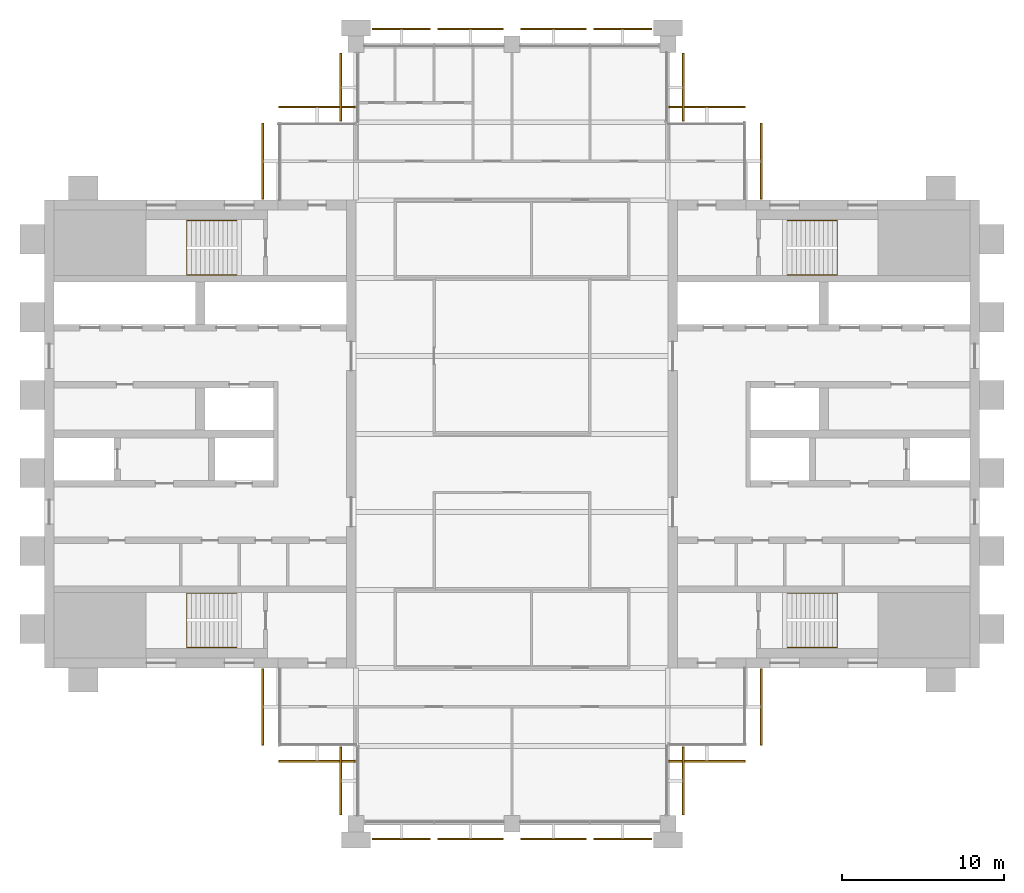
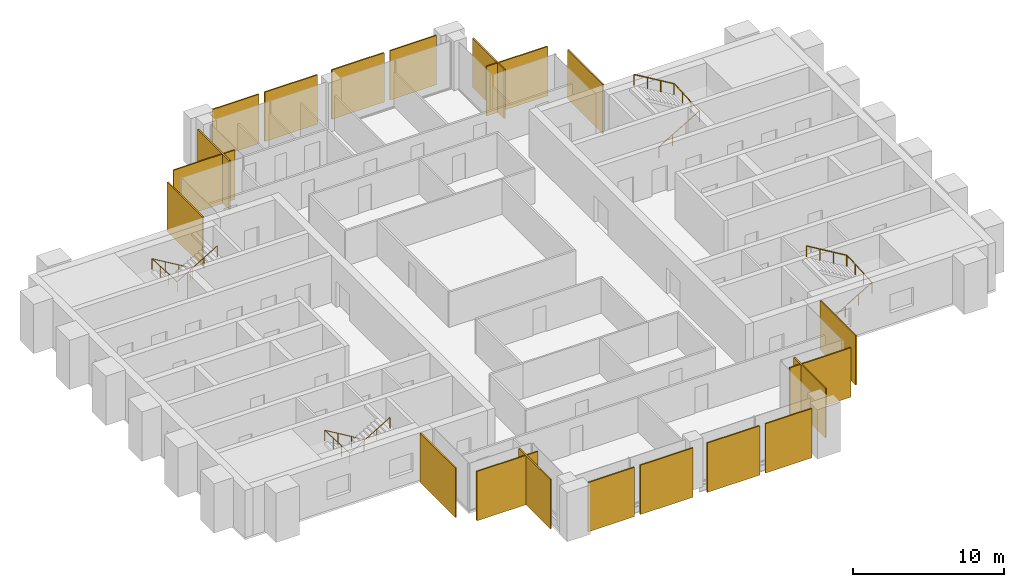
# One storey, part 13 of 13: 20 coverings, 4 railings.
"""IFC4 building model written with IfcOpenShell, lengths in metres."""

from ifc_helpers import new_model, si_unit, direction, frame, origin, origin_2d, place, context, subcontext, project, spatial, polyline, circle, outline, extrude, material, layer, layer_set, type_object, element, save


model = new_model("IFC4")

# Units and contexts
model_context = context("Model", 3, precision=1e-05, world=origin(), true_north=direction((0.0, 1.0)))
body_context = subcontext(model_context, "Body", "Model", "MODEL_VIEW")
ifc_project = project(units=[si_unit("LENGTHUNIT", "METRE"), si_unit("AREAUNIT", "SQUARE_METRE"), si_unit("VOLUMEUNIT", "CUBIC_METRE"), si_unit("PLANEANGLEUNIT", "RADIAN"), si_unit("MASSUNIT", "GRAM", prefix="KILO")], contexts=[model_context])

# Site, building, storey
site_placement = place(None, origin())
site = spatial("IfcSite", under=ifc_project, at=site_placement, CompositionType="ELEMENT")
building_placement = place(site_placement, origin())
building = spatial("IfcBuilding", under=site, at=building_placement, Name="Baori Bourse Tower", CompositionType="ELEMENT")
storey_placement = place(building_placement, frame((0.0, 0.0, 346.300048828125)))
storey = spatial("IfcBuildingStorey", under=building, at=storey_placement, Name="L77", CompositionType="ELEMENT", Elevation=346.300048828125)

# Railings
ifc_material_1 = material(Name="Powder-coated steel balustrade", Category="steel")
railing_type = type_object("IfcRailingType", Name="Core stair handrail", PredefinedType="HANDRAIL", material=ifc_material_1)
railing_1_placement = place(storey_placement, frame((11.85009765625, 14.199951171875, 0.16650390625)))
element("IfcRailing", 1, at=railing_1_placement, inside=storey, type_object=railing_type, Name="L77 ST1 stair handrail 1", PredefinedType="HANDRAIL", context=body_context, shape_type="SweptSolid", body=[
    extrude(circle(Radius=0.02392578125, at=origin_2d()), frame((0.0, 0.0, 0.8759765625), z_axis=(-0.85927862911, 0.0, 0.511507807912), x_axis=(0.0, -1.0, 0.0)), (0.0, 0.0, 1.0), 3.58447265625),
    extrude(circle(Radius=0.02392578125, at=origin_2d()), frame((-3.080078125, 0.0, 2.70947265625), z_axis=(0.0, -0.998766999029, 0.049643545903), x_axis=(1.0, 0.0, 0.0)), (0.0, 0.0, 1.0), 3.35400390625),
    extrude(circle(Radius=0.02392578125, at=origin_2d()), frame((-3.080078125, -3.349853515625, 2.8759765625), z_axis=(0.85927862911, 0.0, 0.511507807912), x_axis=(0.0, 1.0, 0.0)), (0.0, 0.0, 1.0), 3.58447265625),
    extrude(circle(Radius=0.02099609375, at=origin_2d()), origin(), (0.0, 0.0, 1.0), 0.851806640625),
    extrude(circle(Radius=0.02099609375, at=origin_2d()), frame((-1.026611328125, 0.0, 0.611083984375)), (0.0, 0.0, 1.0), 0.851806640625),
    extrude(circle(Radius=0.02099609375, at=origin_2d()), frame((-2.053466796875, 0.0, 1.222412109375)), (0.0, 0.0, 1.0), 0.851806640625),
    extrude(circle(Radius=0.02099609375, at=origin_2d()), frame((-3.080078125, 0.0, 1.83349609375)), (0.0, 0.0, 1.0), 0.851806640625),
    extrude(circle(Radius=0.02099609375, at=origin_2d()), frame((-3.080078125, -1.11669921875, 1.888916015625)), (0.0, 0.0, 1.0), 0.851806640625),
    extrude(circle(Radius=0.02099609375, at=origin_2d()), frame((-3.080078125, -2.233154296875, 1.944580078125)), (0.0, 0.0, 1.0), 0.851806640625),
    extrude(circle(Radius=0.02099609375, at=origin_2d()), frame((-3.080078125, -3.349853515625, 2.0)), (0.0, 0.0, 1.0), 0.851806640625),
    extrude(circle(Radius=0.02099609375, at=origin_2d()), frame((-2.053466796875, -3.349853515625, 2.611083984375)), (0.0, 0.0, 1.0), 0.851806640625),
    extrude(circle(Radius=0.02099609375, at=origin_2d()), frame((-1.026611328125, -3.349853515625, 3.222412109375)), (0.0, 0.0, 1.0), 0.851806640625),
    extrude(circle(Radius=0.02099609375, at=origin_2d()), frame((0.0, -3.349853515625, 3.83349609375)), (0.0, 0.0, 1.0), 0.851806640625),
])
railing_2_placement = place(storey_placement, frame((11.85009765625, 37.14990234375, 0.16650390625)))
element("IfcRailing", 2, at=railing_2_placement, inside=storey, type_object=railing_type, Name="L77 ST2 stair handrail 1", PredefinedType="HANDRAIL", context=body_context, shape_type="SweptSolid", body=[
    extrude(circle(Radius=0.02392578125, at=origin_2d()), frame((0.0, 0.0, 0.8759765625), z_axis=(-0.85927862911, 0.0, 0.511507807912), x_axis=(0.0, -1.0, 0.0)), (0.0, 0.0, 1.0), 3.58447265625),
    extrude(circle(Radius=0.02392578125, at=origin_2d()), frame((-3.080078125, 0.0, 2.70947265625), z_axis=(0.0, -0.998766999029, 0.049643545903), x_axis=(1.0, 0.0, 0.0)), (0.0, 0.0, 1.0), 3.35400390625),
    extrude(circle(Radius=0.02392578125, at=origin_2d()), frame((-3.080078125, -3.349853515625, 2.8759765625), z_axis=(0.85927862911, 0.0, 0.511507807912), x_axis=(0.0, 1.0, 0.0)), (0.0, 0.0, 1.0), 3.58447265625),
    extrude(circle(Radius=0.02099609375, at=origin_2d()), origin(), (0.0, 0.0, 1.0), 0.851806640625),
    extrude(circle(Radius=0.02099609375, at=origin_2d()), frame((-1.026611328125, 0.0, 0.611083984375)), (0.0, 0.0, 1.0), 0.851806640625),
    extrude(circle(Radius=0.02099609375, at=origin_2d()), frame((-2.053466796875, 0.0, 1.222412109375)), (0.0, 0.0, 1.0), 0.851806640625),
    extrude(circle(Radius=0.02099609375, at=origin_2d()), frame((-3.080078125, 0.0, 1.83349609375)), (0.0, 0.0, 1.0), 0.851806640625),
    extrude(circle(Radius=0.02099609375, at=origin_2d()), frame((-3.080078125, -1.11669921875, 1.888916015625)), (0.0, 0.0, 1.0), 0.851806640625),
    extrude(circle(Radius=0.02099609375, at=origin_2d()), frame((-3.080078125, -2.233154296875, 1.944580078125)), (0.0, 0.0, 1.0), 0.851806640625),
    extrude(circle(Radius=0.02099609375, at=origin_2d()), frame((-3.080078125, -3.349853515625, 2.0)), (0.0, 0.0, 1.0), 0.851806640625),
    extrude(circle(Radius=0.02099609375, at=origin_2d()), frame((-2.053466796875, -3.349853515625, 2.611083984375)), (0.0, 0.0, 1.0), 0.851806640625),
    extrude(circle(Radius=0.02099609375, at=origin_2d()), frame((-1.026611328125, -3.349853515625, 3.222412109375)), (0.0, 0.0, 1.0), 0.851806640625),
    extrude(circle(Radius=0.02099609375, at=origin_2d()), frame((0.0, -3.349853515625, 3.83349609375)), (0.0, 0.0, 1.0), 0.851806640625),
])
railing_3_placement = place(storey_placement, frame((45.75, 10.85009765625, 0.16650390625)))
element("IfcRailing", 3, at=railing_3_placement, inside=storey, type_object=railing_type, Name="L77 ST3 stair handrail 1", PredefinedType="HANDRAIL", context=body_context, shape_type="SweptSolid", body=[
    extrude(circle(Radius=0.02392578125, at=origin_2d()), frame((0.0, 0.0, 0.8759765625), z_axis=(0.85927862911, 0.0, 0.511507807912), x_axis=(0.0, 1.0, 0.0)), (0.0, 0.0, 1.0), 3.58447265625),
    extrude(circle(Radius=0.02392578125, at=origin_2d()), frame((3.080078125, 0.0, 2.70947265625), z_axis=(0.0, 0.998766999029, 0.049643545903), x_axis=(-1.0, 0.0, 0.0)), (0.0, 0.0, 1.0), 3.35400390625),
    extrude(circle(Radius=0.02392578125, at=origin_2d()), frame((3.080078125, 3.349853515625, 2.8759765625), z_axis=(-0.85927862911, 0.0, 0.511507807912), x_axis=(0.0, -1.0, 0.0)), (0.0, 0.0, 1.0), 3.58447265625),
    extrude(circle(Radius=0.02099609375, at=origin_2d()), origin(), (0.0, 0.0, 1.0), 0.851806640625),
    extrude(circle(Radius=0.02099609375, at=origin_2d()), frame((1.026611328125, 0.0, 0.611083984375)), (0.0, 0.0, 1.0), 0.851806640625),
    extrude(circle(Radius=0.02099609375, at=origin_2d()), frame((2.053466796875, 0.0, 1.222412109375)), (0.0, 0.0, 1.0), 0.851806640625),
    extrude(circle(Radius=0.02099609375, at=origin_2d()), frame((3.080078125, 0.0, 1.83349609375)), (0.0, 0.0, 1.0), 0.851806640625),
    extrude(circle(Radius=0.02099609375, at=origin_2d()), frame((3.080078125, 1.11669921875, 1.888916015625)), (0.0, 0.0, 1.0), 0.851806640625),
    extrude(circle(Radius=0.02099609375, at=origin_2d()), frame((3.080078125, 2.233154296875, 1.944580078125)), (0.0, 0.0, 1.0), 0.851806640625),
    extrude(circle(Radius=0.02099609375, at=origin_2d()), frame((3.080078125, 3.349853515625, 2.0)), (0.0, 0.0, 1.0), 0.851806640625),
    extrude(circle(Radius=0.02099609375, at=origin_2d()), frame((2.053466796875, 3.349853515625, 2.611083984375)), (0.0, 0.0, 1.0), 0.851806640625),
    extrude(circle(Radius=0.02099609375, at=origin_2d()), frame((1.026611328125, 3.349853515625, 3.222412109375)), (0.0, 0.0, 1.0), 0.851806640625),
    extrude(circle(Radius=0.02099609375, at=origin_2d()), frame((0.0, 3.349853515625, 3.83349609375)), (0.0, 0.0, 1.0), 0.851806640625),
])
railing_4_placement = place(storey_placement, frame((45.75, 33.800048828125, 0.16650390625)))
element("IfcRailing", 4, at=railing_4_placement, inside=storey, type_object=railing_type, Name="L77 ST4 stair handrail 1", PredefinedType="HANDRAIL", context=body_context, shape_type="SweptSolid", body=[
    extrude(circle(Radius=0.02392578125, at=origin_2d()), frame((0.0, 0.0, 0.8759765625), z_axis=(0.85927862911, 0.0, 0.511507807912), x_axis=(0.0, 1.0, 0.0)), (0.0, 0.0, 1.0), 3.58447265625),
    extrude(circle(Radius=0.02392578125, at=origin_2d()), frame((3.080078125, 0.0, 2.70947265625), z_axis=(0.0, 0.998766999029, 0.049643545903), x_axis=(-1.0, 0.0, 0.0)), (0.0, 0.0, 1.0), 3.35400390625),
    extrude(circle(Radius=0.02392578125, at=origin_2d()), frame((3.080078125, 3.349853515625, 2.8759765625), z_axis=(-0.85927862911, 0.0, 0.511507807912), x_axis=(0.0, -1.0, 0.0)), (0.0, 0.0, 1.0), 3.58447265625),
    extrude(circle(Radius=0.02099609375, at=origin_2d()), origin(), (0.0, 0.0, 1.0), 0.851806640625),
    extrude(circle(Radius=0.02099609375, at=origin_2d()), frame((1.026611328125, 0.0, 0.611083984375)), (0.0, 0.0, 1.0), 0.851806640625),
    extrude(circle(Radius=0.02099609375, at=origin_2d()), frame((2.053466796875, 0.0, 1.222412109375)), (0.0, 0.0, 1.0), 0.851806640625),
    extrude(circle(Radius=0.02099609375, at=origin_2d()), frame((3.080078125, 0.0, 1.83349609375)), (0.0, 0.0, 1.0), 0.851806640625),
    extrude(circle(Radius=0.02099609375, at=origin_2d()), frame((3.080078125, 1.11669921875, 1.888916015625)), (0.0, 0.0, 1.0), 0.851806640625),
    extrude(circle(Radius=0.02099609375, at=origin_2d()), frame((3.080078125, 2.233154296875, 1.944580078125)), (0.0, 0.0, 1.0), 0.851806640625),
    extrude(circle(Radius=0.02099609375, at=origin_2d()), frame((3.080078125, 3.349853515625, 2.0)), (0.0, 0.0, 1.0), 0.851806640625),
    extrude(circle(Radius=0.02099609375, at=origin_2d()), frame((2.053466796875, 3.349853515625, 2.611083984375)), (0.0, 0.0, 1.0), 0.851806640625),
    extrude(circle(Radius=0.02099609375, at=origin_2d()), frame((1.026611328125, 3.349853515625, 3.222412109375)), (0.0, 0.0, 1.0), 0.851806640625),
    extrude(circle(Radius=0.02099609375, at=origin_2d()), frame((0.0, 3.349853515625, 3.83349609375)), (0.0, 0.0, 1.0), 0.851806640625),
])

# Coverings
ifc_material_2 = material(Name="Pale anodised aluminium", Category="aluminium")
ifc_layer = layer(ifc_material_2, 0.10009765625)
ifc_layer_set = layer_set([ifc_layer], Name="OS3 Outer skin screen panel")
covering_type = type_object("IfcCoveringType", Name="OS3 Outer skin screen panel", PredefinedType="CLADDING", material=ifc_layer_set)
covering_1_placement = place(storey_placement, frame((0.0, 0.0, -0.16015625)))
element("IfcCovering", 5, at=covering_1_placement, inside=storey, type_object=covering_type, Name="Outer skin screen L77 1", PredefinedType="CLADDING", context=body_context, shape_type="SweptSolid", body=[
    extrude(outline(polyline([(44.10009765625, 43.14990234375), (44.10009765625, 38.449951171875), (44.199951171875, 38.449951171875), (44.199951171875, 43.14990234375), (44.10009765625, 43.14990234375)])), origin(), (0.0, 0.0, 1.0), 4.0),
])
covering_2_placement = place(storey_placement, frame((0.0, 0.0, -0.16015625)))
element("IfcCovering", 6, at=covering_2_placement, inside=storey, type_object=covering_type, Name="Outer skin screen L77 2", PredefinedType="CLADDING", context=body_context, shape_type="SweptSolid", body=[
    extrude(outline(polyline([(38.449951171875, 44.10009765625), (43.14990234375, 44.10009765625), (43.14990234375, 44.199951171875), (38.449951171875, 44.199951171875), (38.449951171875, 44.10009765625)])), origin(), (0.0, 0.0, 1.0), 4.0),
])
covering_3_placement = place(storey_placement, frame((0.0, 0.0, -0.16015625)))
element("IfcCovering", 7, at=covering_3_placement, inside=storey, type_object=covering_type, Name="Outer skin screen L77 3", PredefinedType="CLADDING", context=body_context, shape_type="SweptSolid", body=[
    extrude(outline(polyline([(39.300048828125, 47.449951171875), (39.300048828125, 43.25), (39.39990234375, 43.25), (39.39990234375, 47.449951171875), (39.300048828125, 47.449951171875)])), origin(), (0.0, 0.0, 1.0), 4.0),
])
covering_4_placement = place(storey_placement, frame((0.0, 0.0, -0.16015625)))
element("IfcCovering", 8, at=covering_4_placement, inside=storey, type_object=covering_type, Name="Outer skin screen L77 4", PredefinedType="CLADDING", context=body_context, shape_type="SweptSolid", body=[
    extrude(outline(polyline([(33.824951171875, 48.89990234375), (37.39990234375, 48.89990234375), (37.39990234375, 49.0), (33.824951171875, 49.0), (33.824951171875, 48.89990234375)])), origin(), (0.0, 0.0, 1.0), 4.0),
])
covering_5_placement = place(storey_placement, frame((0.0, 0.0, -0.16015625)))
element("IfcCovering", 9, at=covering_5_placement, inside=storey, type_object=covering_type, Name="Outer skin screen L77 5", PredefinedType="CLADDING", context=body_context, shape_type="SweptSolid", body=[
    extrude(outline(polyline([(29.35009765625, 48.89990234375), (33.375, 48.89990234375), (33.375, 49.0), (29.35009765625, 49.0), (29.35009765625, 48.89990234375)])), origin(), (0.0, 0.0, 1.0), 4.0),
])
covering_6_placement = place(storey_placement, frame((0.0, 0.0, -0.16015625)))
element("IfcCovering", 10, at=covering_6_placement, inside=storey, type_object=covering_type, Name="Outer skin screen L77 6", PredefinedType="CLADDING", context=body_context, shape_type="SweptSolid", body=[
    extrude(outline(polyline([(24.22509765625, 48.89990234375), (28.25, 48.89990234375), (28.25, 49.0), (24.22509765625, 49.0), (24.22509765625, 48.89990234375)])), origin(), (0.0, 0.0, 1.0), 4.0),
])
covering_7_placement = place(storey_placement, frame((0.0, 0.0, -0.16015625)))
element("IfcCovering", 11, at=covering_7_placement, inside=storey, type_object=covering_type, Name="Outer skin screen L77 7", PredefinedType="CLADDING", context=body_context, shape_type="SweptSolid", body=[
    extrude(outline(polyline([(20.199951171875, 48.89990234375), (23.77490234375, 48.89990234375), (23.77490234375, 49.0), (20.199951171875, 49.0), (20.199951171875, 48.89990234375)])), origin(), (0.0, 0.0, 1.0), 4.0),
])
covering_8_placement = place(storey_placement, frame((0.0, 0.0, -0.16015625)))
element("IfcCovering", 12, at=covering_8_placement, inside=storey, type_object=covering_type, Name="Outer skin screen L77 8", PredefinedType="CLADDING", context=body_context, shape_type="SweptSolid", body=[
    extrude(outline(polyline([(18.300048828125, 43.25), (18.300048828125, 47.449951171875), (18.199951171875, 47.449951171875), (18.199951171875, 43.25), (18.300048828125, 43.25)])), origin(), (0.0, 0.0, 1.0), 4.0),
])
covering_9_placement = place(storey_placement, frame((0.0, 0.0, -0.16015625)))
element("IfcCovering", 13, at=covering_9_placement, inside=storey, type_object=covering_type, Name="Outer skin screen L77 9", PredefinedType="CLADDING", context=body_context, shape_type="SweptSolid", body=[
    extrude(outline(polyline([(14.449951171875, 44.10009765625), (19.14990234375, 44.10009765625), (19.14990234375, 44.199951171875), (14.449951171875, 44.199951171875), (14.449951171875, 44.10009765625)])), origin(), (0.0, 0.0, 1.0), 4.0),
])
covering_10_placement = place(storey_placement, frame((0.0, 0.0, -0.16015625)))
element("IfcCovering", 14, at=covering_10_placement, inside=storey, type_object=covering_type, Name="Outer skin screen L77 10", PredefinedType="CLADDING", context=body_context, shape_type="SweptSolid", body=[
    extrude(outline(polyline([(13.5, 38.449951171875), (13.5, 43.14990234375), (13.39990234375, 43.14990234375), (13.39990234375, 38.449951171875), (13.5, 38.449951171875)])), origin(), (0.0, 0.0, 1.0), 4.0),
])
covering_11_placement = place(storey_placement, frame((0.0, 0.0, -0.16015625)))
element("IfcCovering", 15, at=covering_11_placement, inside=storey, type_object=covering_type, Name="Outer skin screen L77 11", PredefinedType="CLADDING", context=body_context, shape_type="SweptSolid", body=[
    extrude(outline(polyline([(13.5, 4.85009765625), (13.5, 9.550048828125), (13.39990234375, 9.550048828125), (13.39990234375, 4.85009765625), (13.5, 4.85009765625)])), origin(), (0.0, 0.0, 1.0), 4.0),
])
covering_12_placement = place(storey_placement, frame((0.0, 0.0, -0.16015625)))
element("IfcCovering", 16, at=covering_12_placement, inside=storey, type_object=covering_type, Name="Outer skin screen L77 12", PredefinedType="CLADDING", context=body_context, shape_type="SweptSolid", body=[
    extrude(outline(polyline([(19.14990234375, 3.89990234375), (14.449951171875, 3.89990234375), (14.449951171875, 3.800048828125), (19.14990234375, 3.800048828125), (19.14990234375, 3.89990234375)])), origin(), (0.0, 0.0, 1.0), 4.0),
])
covering_13_placement = place(storey_placement, frame((0.0, 0.0, -0.16015625)))
element("IfcCovering", 17, at=covering_13_placement, inside=storey, type_object=covering_type, Name="Outer skin screen L77 13", PredefinedType="CLADDING", context=body_context, shape_type="SweptSolid", body=[
    extrude(outline(polyline([(18.300048828125, 0.550048828125), (18.300048828125, 4.75), (18.199951171875, 4.75), (18.199951171875, 0.550048828125), (18.300048828125, 0.550048828125)])), origin(), (0.0, 0.0, 1.0), 4.0),
])
covering_14_placement = place(storey_placement, frame((0.0, 0.0, -0.16015625)))
element("IfcCovering", 18, at=covering_14_placement, inside=storey, type_object=covering_type, Name="Outer skin screen L77 14", PredefinedType="CLADDING", context=body_context, shape_type="SweptSolid", body=[
    extrude(outline(polyline([(23.77490234375, -0.89990234375), (20.199951171875, -0.89990234375), (20.199951171875, -1.0), (23.77490234375, -1.0), (23.77490234375, -0.89990234375)])), origin(), (0.0, 0.0, 1.0), 4.0),
])
covering_15_placement = place(storey_placement, frame((0.0, 0.0, -0.16015625)))
element("IfcCovering", 19, at=covering_15_placement, inside=storey, type_object=covering_type, Name="Outer skin screen L77 15", PredefinedType="CLADDING", context=body_context, shape_type="SweptSolid", body=[
    extrude(outline(polyline([(28.25, -0.89990234375), (24.22509765625, -0.89990234375), (24.22509765625, -1.0), (28.25, -1.0), (28.25, -0.89990234375)])), origin(), (0.0, 0.0, 1.0), 4.0),
])
covering_16_placement = place(storey_placement, frame((0.0, 0.0, -0.16015625)))
element("IfcCovering", 20, at=covering_16_placement, inside=storey, type_object=covering_type, Name="Outer skin screen L77 16", PredefinedType="CLADDING", context=body_context, shape_type="SweptSolid", body=[
    extrude(outline(polyline([(33.375, -0.89990234375), (29.35009765625, -0.89990234375), (29.35009765625, -1.0), (33.375, -1.0), (33.375, -0.89990234375)])), origin(), (0.0, 0.0, 1.0), 4.0),
])
covering_17_placement = place(storey_placement, frame((0.0, 0.0, -0.16015625)))
element("IfcCovering", 21, at=covering_17_placement, inside=storey, type_object=covering_type, Name="Outer skin screen L77 17", PredefinedType="CLADDING", context=body_context, shape_type="SweptSolid", body=[
    extrude(outline(polyline([(37.39990234375, -0.89990234375), (33.824951171875, -0.89990234375), (33.824951171875, -1.0), (37.39990234375, -1.0), (37.39990234375, -0.89990234375)])), origin(), (0.0, 0.0, 1.0), 4.0),
])
covering_18_placement = place(storey_placement, frame((0.0, 0.0, -0.16015625)))
element("IfcCovering", 22, at=covering_18_placement, inside=storey, type_object=covering_type, Name="Outer skin screen L77 18", PredefinedType="CLADDING", context=body_context, shape_type="SweptSolid", body=[
    extrude(outline(polyline([(39.300048828125, 4.75), (39.300048828125, 0.550048828125), (39.39990234375, 0.550048828125), (39.39990234375, 4.75), (39.300048828125, 4.75)])), origin(), (0.0, 0.0, 1.0), 4.0),
])
covering_19_placement = place(storey_placement, frame((0.0, 0.0, -0.16015625)))
element("IfcCovering", 23, at=covering_19_placement, inside=storey, type_object=covering_type, Name="Outer skin screen L77 19", PredefinedType="CLADDING", context=body_context, shape_type="SweptSolid", body=[
    extrude(outline(polyline([(43.14990234375, 3.89990234375), (38.449951171875, 3.89990234375), (38.449951171875, 3.800048828125), (43.14990234375, 3.800048828125), (43.14990234375, 3.89990234375)])), origin(), (0.0, 0.0, 1.0), 4.0),
])
covering_20_placement = place(storey_placement, frame((0.0, 0.0, -0.16015625)))
element("IfcCovering", 24, at=covering_20_placement, inside=storey, type_object=covering_type, Name="Outer skin screen L77 20", PredefinedType="CLADDING", context=body_context, shape_type="SweptSolid", body=[
    extrude(outline(polyline([(44.10009765625, 9.550048828125), (44.10009765625, 4.85009765625), (44.199951171875, 4.85009765625), (44.199951171875, 9.550048828125), (44.10009765625, 9.550048828125)])), origin(), (0.0, 0.0, 1.0), 4.0),
])

save(model, "model.ifc")
